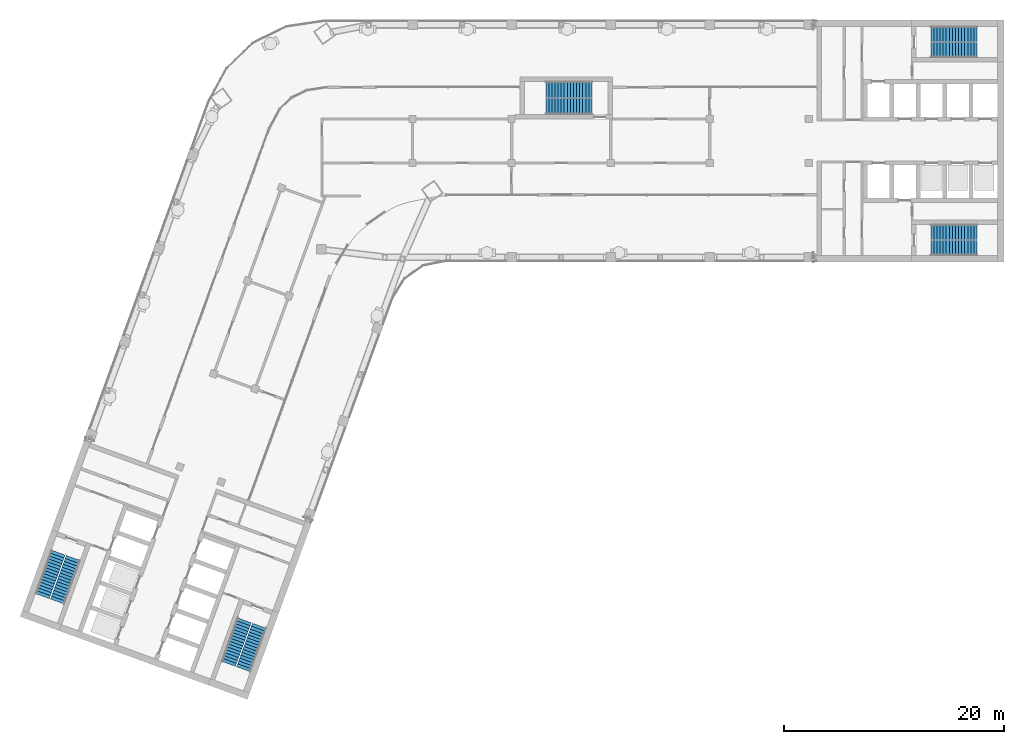
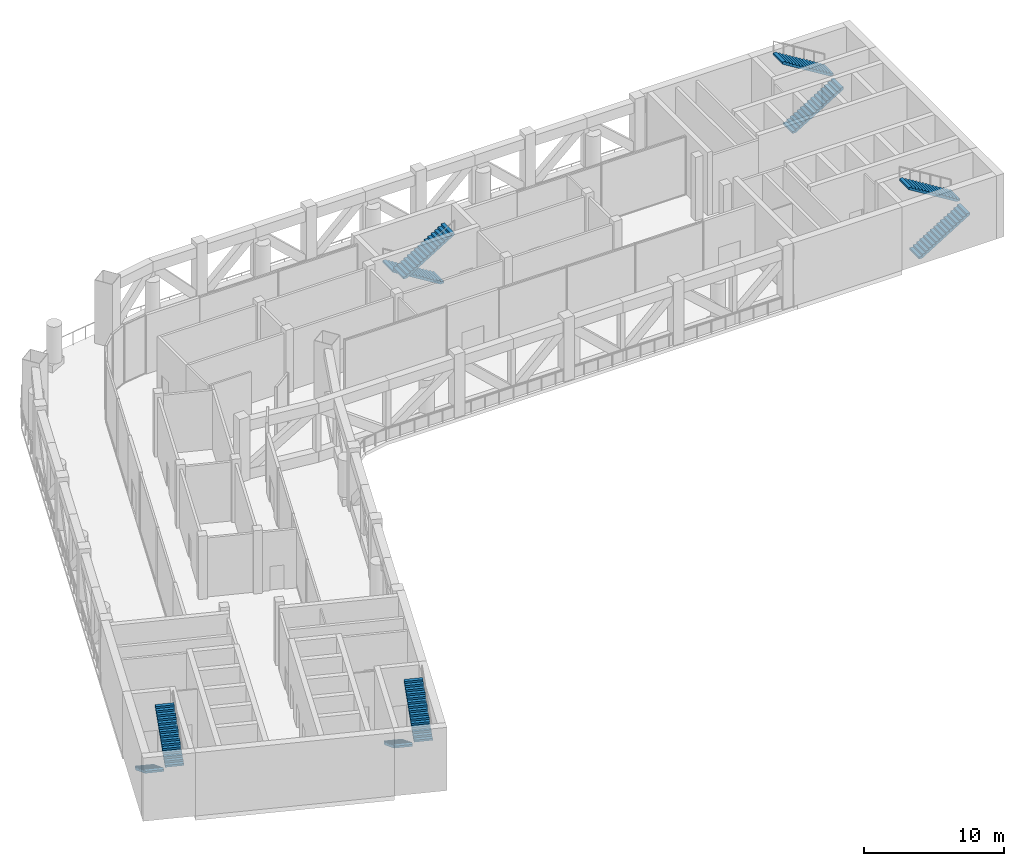
# One storey, part 15 of 19: 10 stair flights, 5 elements without a shape of their own.
"""IFC4 building model written with IfcOpenShell, lengths in metres."""

import ifcopenshell
import ifcopenshell.guid

model = None  # the IFC model being written
_history = None  # IfcOwnerHistory: only IFC2X3 demands one
_inside = {}  # id of a spatial element -> (the spatial element, [elements in it])
_under = {}  # id of a project, library or spatial element -> (it, [spatial elements below it])
_declared = {}  # id of a project -> (the project, [libraries it declares])
_typed = {}  # id of a type object -> (the type object, [elements of that type])
_made_of = {}  # id of a material, layer set ... -> (it, [elements and type objects made of it])


def new_model(schema):
    """Start an empty IFC model of exactly this schema.

    Asked for "IFC4X3", IfcOpenShell would pick the latest addendum, in which some entities
    have other attributes; the version numbers below select the first issue.
    IFC2X3 requires an IfcOwnerHistory on every rooted entity: one is made here for all.
    """
    global model, _history
    if schema == "IFC4X3":
        model = ifcopenshell.file(schema_version=(4, 3, 0, 0))
    else:
        model = ifcopenshell.file(schema=schema)
    _inside.clear()
    _under.clear()
    _declared.clear()
    _typed.clear()
    _made_of.clear()
    _history = None
    if model.schema == "IFC2X3":
        org = make("IfcOrganization", Name="unknown")
        user = make(
            "IfcPersonAndOrganization",
            ThePerson=make("IfcPerson", FamilyName="unknown"),
            TheOrganization=org,
        )
        app = make(
            "IfcApplication",
            ApplicationDeveloper=org,
            Version="unknown",
            ApplicationFullName="unknown",
            ApplicationIdentifier="unknown",
        )
        _history = make(
            "IfcOwnerHistory",
            OwningUser=user,
            OwningApplication=app,
            ChangeAction="ADDED",
            CreationDate=0,
        )
    return model


def make(cls, **values):
    """One entity of the class cls with the attributes given. An attribute that is None is left unset."""
    return model.create_entity(
        cls, **{name: value for name, value in values.items() if value is not None}
    )


def rooted(cls, **values):
    """An entity with a GlobalId (a new one), such as an element, a storey or a relation."""
    return make(cls, GlobalId=ifcopenshell.guid.new(), OwnerHistory=_history, **values)


def si_unit(unit_type, name, prefix=None):
    """IfcSIUnit, for example si_unit("LENGTHUNIT", "METRE", prefix="MILLI")."""
    return make("IfcSIUnit", UnitType=unit_type, Prefix=prefix, Name=name)


def assignment(units):
    """IfcUnitAssignment: the units of a project."""
    return None if units is None else make("IfcUnitAssignment", Units=units)


def point(xyz):
    """IfcCartesianPoint."""
    return None if xyz is None else make("IfcCartesianPoint", Coordinates=xyz)


def direction(xyz):
    """IfcDirection."""
    return None if xyz is None else make("IfcDirection", DirectionRatios=xyz)


def frame(location, z_axis=None, x_axis=None):
    """IfcAxis2Placement3D, a coordinate frame: its origin and axes. An axis left out is left unset."""
    return make(
        "IfcAxis2Placement3D",
        Location=point(location),
        Axis=direction(z_axis),
        RefDirection=direction(x_axis),
    )


def origin():
    """The frame at (0, 0, 0) with its axes left unset."""
    return frame((0.0, 0.0, 0.0))


def place(relative_to, where):
    """IfcLocalPlacement: puts the frame where relative to a parent placement (None: the world)."""
    return make(
        "IfcLocalPlacement", PlacementRelTo=relative_to, RelativePlacement=where
    )


def context(
    kind, dimensions, precision=None, world=None, true_north=None, identifier=None
):
    """IfcGeometricRepresentationContext, for example the 3D "Model" context."""
    return make(
        "IfcGeometricRepresentationContext",
        ContextIdentifier=identifier,
        ContextType=kind,
        CoordinateSpaceDimension=dimensions,
        Precision=precision,
        WorldCoordinateSystem=world,
        TrueNorth=true_north,
    )


def subcontext(parent, identifier, kind, view, scale=None):
    """IfcGeometricRepresentationSubContext, for example "Body" below "Model"."""
    return make(
        "IfcGeometricRepresentationSubContext",
        ContextIdentifier=identifier,
        ContextType=kind,
        ParentContext=parent,
        TargetScale=scale,
        TargetView=view,
    )


def project(units=None, contexts=None):
    """IfcProject with its units and contexts."""
    return rooted(
        "IfcProject",
        Name="project",
        RepresentationContexts=contexts,
        UnitsInContext=assignment(units),
    )


def spatial(cls, under=None, at=None, **own):
    """A site, building, storey or space (cls), placed at a placement, below another one or the project."""
    s = rooted(cls, ObjectPlacement=at, **own)
    if under is not None:
        _under.setdefault(under.id(), (under, []))[1].append(s)
    return s


def polyline(points):
    """IfcPolyline through the points."""
    return make("IfcPolyline", Points=[point(p) for p in points])


def outline(outer, holes=None, kind="AREA"):
    """IfcArbitraryClosedProfileDef: a profile drawn as a closed curve; with holes, ...WithVoids."""
    if holes is None:
        return make("IfcArbitraryClosedProfileDef", ProfileType=kind, OuterCurve=outer)
    return make(
        "IfcArbitraryProfileDefWithVoids",
        ProfileType=kind,
        OuterCurve=outer,
        InnerCurves=holes,
    )


def extrude(swept, where, along, depth):
    """IfcExtrudedAreaSolid: the profile swept, set in the frame where, extruded along a direction by depth."""
    return make(
        "IfcExtrudedAreaSolid",
        SweptArea=swept,
        Position=where,
        ExtrudedDirection=direction(along),
        Depth=depth,
    )


def shape(context_of_items, identifier, shape_type, items):
    """IfcShapeRepresentation: the items that make up one representation, for example the "Body"."""
    return make(
        "IfcShapeRepresentation",
        ContextOfItems=context_of_items,
        RepresentationIdentifier=identifier,
        RepresentationType=shape_type,
        Items=items,
    )


def material(Name=None, Category=None):
    """IfcMaterial."""
    return make("IfcMaterial", Name=Name, Category=Category)


def made_of(thing, what):
    """Note that an element or type object is made of a material, layer set ...; save() writes the relation."""
    if what is not None:
        _made_of.setdefault(what.id(), (what, []))[1].append(thing)
    return thing


def type_object(cls, material=None, **own):
    """A type object (cls), such as IfcWallType, which elements share."""
    return made_of(rooted(cls, **own), material)


def element(
    cls,
    number,
    at=None,
    inside=None,
    cuts=None,
    type_object=None,
    material=None,
    context=None,
    identifier="Body",
    shape_type=None,
    held_by="IfcProductDefinitionShape",
    body=None,
    shapes=None,
    **own,
):
    """One element of the class cls, such as IfcWall. Its Tag is "e" and its number.

    at: its placement. inside: the storey or other place that contains it. cuts: it is an
    opening in that element (IfcRelVoidsElement). A single representation is given by context,
    identifier, shape_type and body (its items); several are given by shapes. held_by: the class
    of the entity that holds the representations. save() writes the other relations.
    """
    e = rooted(cls, Tag="e%d" % number, ObjectPlacement=at, **own)
    if body is not None:
        shapes = [shape(context, identifier, shape_type, body)]
    if shapes is not None:
        e.Representation = make(held_by, Representations=shapes)
    if inside is not None:
        _inside.setdefault(inside.id(), (inside, []))[1].append(e)
    if cuts is not None:
        rooted(
            "IfcRelVoidsElement", RelatingBuildingElement=cuts, RelatedOpeningElement=e
        )
    if type_object is not None:
        _typed.setdefault(type_object.id(), (type_object, []))[1].append(e)
    return made_of(e, material)


def aggregate(whole, parts):
    """IfcRelAggregates: a whole, such as a stair, and the parts it consists of."""
    return rooted("IfcRelAggregates", RelatingObject=whole, RelatedObjects=parts)


def save(model, path):
    """Write the relations noted so far, then the file.

    IfcRelAggregates (storeys below a building ...), IfcRelContainedInSpatialStructure (elements
    in a storey), IfcRelDefinesByType, IfcRelAssociatesMaterial and IfcRelDeclares: one each for
    every whole, place, type object, material and project.
    """
    for whole, parts in _under.values():
        aggregate(whole, parts)
    for where, things in _inside.values():
        rooted(
            "IfcRelContainedInSpatialStructure",
            RelatedElements=things,
            RelatingStructure=where,
        )
    for kind, things in _typed.values():
        rooted("IfcRelDefinesByType", RelatedObjects=things, RelatingType=kind)
    for what, things in _made_of.values():
        rooted("IfcRelAssociatesMaterial", RelatedObjects=things, RelatingMaterial=what)
    for by, libraries in _declared.values():
        rooted("IfcRelDeclares", RelatingContext=by, RelatedDefinitions=libraries)
    model.write(path)


model = new_model("IFC4")

# Units and contexts
model_context = context("Model", 3, precision=1e-05, world=origin(), true_north=direction((0.0, 1.0)))
body_context = subcontext(model_context, "Body", "Model", "MODEL_VIEW")
ifc_project = project(units=[si_unit("LENGTHUNIT", "METRE"), si_unit("AREAUNIT", "SQUARE_METRE"), si_unit("VOLUMEUNIT", "CUBIC_METRE"), si_unit("PLANEANGLEUNIT", "RADIAN"), si_unit("MASSUNIT", "GRAM", prefix="KILO")], contexts=[model_context])

# Site, building, storey
site_placement = place(None, origin())
site = spatial("IfcSite", under=ifc_project, at=site_placement, CompositionType="ELEMENT")
building_placement = place(site_placement, origin())
building = spatial("IfcBuilding", under=site, at=building_placement, Name="Skarvind Civic Tower", CompositionType="ELEMENT")
storey_placement = place(building_placement, frame((0.0, 0.0, 129.0)))
storey = spatial("IfcBuildingStorey", under=building, at=storey_placement, Name="L30", CompositionType="ELEMENT", Elevation=129.0)

# Stair, stair flights
ifc_material = material(Name="Concrete C40/50", Category="concrete")
stair_type_1 = type_object("IfcStairType", Name="Exit stair 1450, half-turn, concrete", PredefinedType="HALF_TURN_STAIR", material=ifc_material)
stair_1_placement = place(storey_placement, origin())
stair_1 = element("IfcStair", 1, at=stair_1_placement, inside=storey, type_object=stair_type_1, Name="Exit stair CM", PredefinedType="HALF_TURN_STAIR")
stair_flight_type_1 = type_object("IfcStairFlightType", Name="Stair flight 1450, concrete", PredefinedType="STRAIGHT", material=ifc_material)
stair_flight_1_placement = place(storey_placement, frame((70.550048828125, 132.675048828125, 0.0), z_axis=(0.0, 0.0, 1.0), x_axis=(-1.0, 0.0, 0.0)))
stair_flight_1 = element("IfcStairFlight", 2, at=stair_flight_1_placement, type_object=stair_flight_type_1, Name="ST-CM flight 1", NumberOfRisers=16, NumberOfTreads=15, PredefinedType="STRAIGHT", RiserHeight=0.171875, TreadLength=0.28, context=body_context, shape_type="SweptSolid", body=[
    extrude(outline(polyline([(0.0, 0.0), (0.0, 0.171875), (0.280029296875, 0.171875), (0.280029296875, 0.34375), (0.56005859375, 0.34375), (0.56005859375, 0.515625), (0.840087890625, 0.515625), (0.840087890625, 0.6875), (1.1201171875, 0.6875), (1.1201171875, 0.859375), (1.39990234375, 0.859375), (1.39990234375, 1.03125), (1.679931640625, 1.03125), (1.679931640625, 1.203125), (1.9599609375, 1.203125), (1.9599609375, 1.375), (2.239990234375, 1.375), (2.239990234375, 1.546875), (2.52001953125, 1.546875), (2.52001953125, 1.71875), (2.800048828125, 1.71875), (2.800048828125, 1.890625), (3.080078125, 1.890625), (3.080078125, 2.0625), (3.360107421875, 2.0625), (3.360107421875, 2.234375), (3.639892578125, 2.234375), (3.639892578125, 2.40625), (3.919921875, 2.40625), (3.919921875, 2.578125), (4.199951171875, 2.578125), (4.199951171875, 2.75), (4.199951171875, 2.40234375), (0.28662109375, 0.0), (0.0, 0.0)])), frame((0.0, 0.72509765625, 0.0), z_axis=(0.0, -1.0, 0.0), x_axis=(1.0, 0.0, 0.0)), (0.0, 0.0, 1.0), 1.449951171875),
])
stair_flight_2_placement = place(storey_placement, frame((66.35009765625, 131.125, 2.75), z_axis=(0.0, 0.0, 1.0), x_axis=(1.0, 0.0, 0.0)))
stair_flight_2 = element("IfcStairFlight", 3, at=stair_flight_2_placement, type_object=stair_flight_type_1, Name="ST-CM flight 2", NumberOfRisers=16, NumberOfTreads=15, PredefinedType="STRAIGHT", RiserHeight=0.171875, TreadLength=0.28, context=body_context, shape_type="SweptSolid", body=[
    extrude(outline(polyline([(0.0, 0.0), (0.0, 0.171875), (0.280029296875, 0.171875), (0.280029296875, 0.34375), (0.56005859375, 0.34375), (0.56005859375, 0.515625), (0.840087890625, 0.515625), (0.840087890625, 0.6875), (1.1201171875, 0.6875), (1.1201171875, 0.859375), (1.39990234375, 0.859375), (1.39990234375, 1.03125), (1.679931640625, 1.03125), (1.679931640625, 1.203125), (1.9599609375, 1.203125), (1.9599609375, 1.375), (2.239990234375, 1.375), (2.239990234375, 1.546875), (2.52001953125, 1.546875), (2.52001953125, 1.71875), (2.800048828125, 1.71875), (2.800048828125, 1.890625), (3.080078125, 1.890625), (3.080078125, 2.0625), (3.360107421875, 2.0625), (3.360107421875, 2.234375), (3.639892578125, 2.234375), (3.639892578125, 2.40625), (3.919921875, 2.40625), (3.919921875, 2.578125), (4.199951171875, 2.578125), (4.199951171875, 2.75), (4.199951171875, 2.40234375), (0.28662109375, 0.0), (0.0, 0.0)])), frame((0.0, 0.72509765625, 0.0), z_axis=(0.0, -1.0, 0.0), x_axis=(1.0, 0.0, 0.0)), (0.0, 0.0, 1.0), 1.449951171875),
])
aggregate(stair_1, [stair_flight_1, stair_flight_2])

stair_type_2 = type_object("IfcStairType", Name="Exit stair, half-turn, concrete", PredefinedType="HALF_TURN_STAIR", material=ifc_material)
stair_2_placement = place(storey_placement, origin())
stair_2 = element("IfcStair", 4, at=stair_2_placement, inside=storey, type_object=stair_type_2, Name="Exit stair C1S", PredefinedType="HALF_TURN_STAIR")
stair_flight_type_2 = type_object("IfcStairFlightType", Name="Stair flight, concrete", PredefinedType="STRAIGHT", material=ifc_material)
stair_flight_3_placement = place(storey_placement, frame((101.35009765625, 136.27490234375, 0.0), z_axis=(0.0, 0.0, 1.0), x_axis=(1.0, 0.0, 0.0)))
stair_flight_3 = element("IfcStairFlight", 5, at=stair_flight_3_placement, type_object=stair_flight_type_2, Name="ST-C1S flight 1", NumberOfRisers=16, NumberOfTreads=15, PredefinedType="STRAIGHT", RiserHeight=0.171875, TreadLength=0.28, context=body_context, shape_type="SweptSolid", body=[
    extrude(outline(polyline([(0.0, 0.0), (0.0, 0.171875), (0.280029296875, 0.171875), (0.280029296875, 0.34375), (0.56005859375, 0.34375), (0.56005859375, 0.515625), (0.840087890625, 0.515625), (0.840087890625, 0.6875), (1.1201171875, 0.6875), (1.1201171875, 0.859375), (1.39990234375, 0.859375), (1.39990234375, 1.03125), (1.679931640625, 1.03125), (1.679931640625, 1.203125), (1.9599609375, 1.203125), (1.9599609375, 1.375), (2.239990234375, 1.375), (2.239990234375, 1.546875), (2.52001953125, 1.546875), (2.52001953125, 1.71875), (2.800048828125, 1.71875), (2.800048828125, 1.890625), (3.080078125, 1.890625), (3.080078125, 2.0625), (3.360107421875, 2.0625), (3.360107421875, 2.234375), (3.639892578125, 2.234375), (3.639892578125, 2.40625), (3.919921875, 2.40625), (3.919921875, 2.578125), (4.199951171875, 2.578125), (4.199951171875, 2.75), (4.199951171875, 2.40234375), (0.28662109375, 0.0), (0.0, 0.0)])), frame((0.0, 0.675048828125, 0.0), z_axis=(0.0, -1.0, 0.0), x_axis=(1.0, 0.0, 0.0)), (0.0, 0.0, 1.0), 1.35009765625),
])
stair_flight_4_placement = place(storey_placement, frame((105.550048828125, 137.72509765625, 2.75), z_axis=(0.0, 0.0, 1.0), x_axis=(-1.0, 0.0, 0.0)))
stair_flight_4 = element("IfcStairFlight", 6, at=stair_flight_4_placement, type_object=stair_flight_type_2, Name="ST-C1S flight 2", NumberOfRisers=16, NumberOfTreads=15, PredefinedType="STRAIGHT", RiserHeight=0.171875, TreadLength=0.28, context=body_context, shape_type="SweptSolid", body=[
    extrude(outline(polyline([(0.0, 0.0), (0.0, 0.171875), (0.280029296875, 0.171875), (0.280029296875, 0.34375), (0.56005859375, 0.34375), (0.56005859375, 0.515625), (0.840087890625, 0.515625), (0.840087890625, 0.6875), (1.1201171875, 0.6875), (1.1201171875, 0.859375), (1.39990234375, 0.859375), (1.39990234375, 1.03125), (1.679931640625, 1.03125), (1.679931640625, 1.203125), (1.9599609375, 1.203125), (1.9599609375, 1.375), (2.239990234375, 1.375), (2.239990234375, 1.546875), (2.52001953125, 1.546875), (2.52001953125, 1.71875), (2.800048828125, 1.71875), (2.800048828125, 1.890625), (3.080078125, 1.890625), (3.080078125, 2.0625), (3.360107421875, 2.0625), (3.360107421875, 2.234375), (3.639892578125, 2.234375), (3.639892578125, 2.40625), (3.919921875, 2.40625), (3.919921875, 2.578125), (4.199951171875, 2.578125), (4.199951171875, 2.75), (4.199951171875, 2.40234375), (0.28662109375, 0.0), (0.0, 0.0)])), frame((0.0, 0.675048828125, 0.0), z_axis=(0.0, -1.0, 0.0), x_axis=(1.0, 0.0, 0.0)), (0.0, 0.0, 1.0), 1.35009765625),
])
aggregate(stair_2, [stair_flight_3, stair_flight_4])

stair_3_placement = place(storey_placement, origin())
stair_3 = element("IfcStair", 7, at=stair_3_placement, inside=storey, type_object=stair_type_2, Name="Exit stair C1N", PredefinedType="HALF_TURN_STAIR")
stair_flight_5_placement = place(storey_placement, frame((101.35009765625, 118.27490234375, 0.0), z_axis=(0.0, 0.0, 1.0), x_axis=(1.0, 0.0, 0.0)))
stair_flight_5 = element("IfcStairFlight", 8, at=stair_flight_5_placement, type_object=stair_flight_type_2, Name="ST-C1N flight 1", NumberOfRisers=16, NumberOfTreads=15, PredefinedType="STRAIGHT", RiserHeight=0.171875, TreadLength=0.28, context=body_context, shape_type="SweptSolid", body=[
    extrude(outline(polyline([(0.0, 0.0), (0.0, 0.171875), (0.280029296875, 0.171875), (0.280029296875, 0.34375), (0.56005859375, 0.34375), (0.56005859375, 0.515625), (0.840087890625, 0.515625), (0.840087890625, 0.6875), (1.1201171875, 0.6875), (1.1201171875, 0.859375), (1.39990234375, 0.859375), (1.39990234375, 1.03125), (1.679931640625, 1.03125), (1.679931640625, 1.203125), (1.9599609375, 1.203125), (1.9599609375, 1.375), (2.239990234375, 1.375), (2.239990234375, 1.546875), (2.52001953125, 1.546875), (2.52001953125, 1.71875), (2.800048828125, 1.71875), (2.800048828125, 1.890625), (3.080078125, 1.890625), (3.080078125, 2.0625), (3.360107421875, 2.0625), (3.360107421875, 2.234375), (3.639892578125, 2.234375), (3.639892578125, 2.40625), (3.919921875, 2.40625), (3.919921875, 2.578125), (4.199951171875, 2.578125), (4.199951171875, 2.75), (4.199951171875, 2.40234375), (0.28662109375, 0.0), (0.0, 0.0)])), frame((0.0, 0.675048828125, 0.0), z_axis=(0.0, -1.0, 0.0), x_axis=(1.0, 0.0, 0.0)), (0.0, 0.0, 1.0), 1.35009765625),
])
stair_flight_6_placement = place(storey_placement, frame((105.550048828125, 119.72509765625, 2.75), z_axis=(0.0, 0.0, 1.0), x_axis=(-1.0, 0.0, 0.0)))
stair_flight_6 = element("IfcStairFlight", 9, at=stair_flight_6_placement, type_object=stair_flight_type_2, Name="ST-C1N flight 2", NumberOfRisers=16, NumberOfTreads=15, PredefinedType="STRAIGHT", RiserHeight=0.171875, TreadLength=0.28, context=body_context, shape_type="SweptSolid", body=[
    extrude(outline(polyline([(0.0, 0.0), (0.0, 0.171875), (0.280029296875, 0.171875), (0.280029296875, 0.34375), (0.56005859375, 0.34375), (0.56005859375, 0.515625), (0.840087890625, 0.515625), (0.840087890625, 0.6875), (1.1201171875, 0.6875), (1.1201171875, 0.859375), (1.39990234375, 0.859375), (1.39990234375, 1.03125), (1.679931640625, 1.03125), (1.679931640625, 1.203125), (1.9599609375, 1.203125), (1.9599609375, 1.375), (2.239990234375, 1.375), (2.239990234375, 1.546875), (2.52001953125, 1.546875), (2.52001953125, 1.71875), (2.800048828125, 1.71875), (2.800048828125, 1.890625), (3.080078125, 1.890625), (3.080078125, 2.0625), (3.360107421875, 2.0625), (3.360107421875, 2.234375), (3.639892578125, 2.234375), (3.639892578125, 2.40625), (3.919921875, 2.40625), (3.919921875, 2.578125), (4.199951171875, 2.578125), (4.199951171875, 2.75), (4.199951171875, 2.40234375), (0.28662109375, 0.0), (0.0, 0.0)])), frame((0.0, 0.675048828125, 0.0), z_axis=(0.0, -1.0, 0.0), x_axis=(1.0, 0.0, 0.0)), (0.0, 0.0, 1.0), 1.35009765625),
])
aggregate(stair_3, [stair_flight_5, stair_flight_6])

stair_4_placement = place(storey_placement, origin())
stair_4 = element("IfcStair", 10, at=stair_4_placement, inside=storey, type_object=stair_type_2, Name="Exit stair C2S", PredefinedType="HALF_TURN_STAIR")
stair_flight_7_placement = place(storey_placement, frame((38.949462890625, 84.43408203125, 0.0), z_axis=(0.0, 0.0, 1.0), x_axis=(-0.342020143326, -0.939692620786, 0.0)))
stair_flight_7 = element("IfcStairFlight", 11, at=stair_flight_7_placement, type_object=stair_flight_type_2, Name="ST-C2S flight 1", NumberOfRisers=16, NumberOfTreads=15, PredefinedType="STRAIGHT", RiserHeight=0.171875, TreadLength=0.28, context=body_context, shape_type="SweptSolid", body=[
    extrude(outline(polyline([(0.0, 0.0), (0.0, 0.171875), (0.280029296875, 0.171875), (0.280029296875, 0.34375), (0.56005859375, 0.34375), (0.56005859375, 0.515625), (0.840087890625, 0.515625), (0.840087890625, 0.6875), (1.1201171875, 0.6875), (1.1201171875, 0.859375), (1.39990234375, 0.859375), (1.39990234375, 1.03125), (1.679931640625, 1.03125), (1.679931640625, 1.203125), (1.9599609375, 1.203125), (1.9599609375, 1.375), (2.239990234375, 1.375), (2.239990234375, 1.546875), (2.52001953125, 1.546875), (2.52001953125, 1.71875), (2.800048828125, 1.71875), (2.800048828125, 1.890625), (3.080078125, 1.890625), (3.080078125, 2.0625), (3.360107421875, 2.0625), (3.360107421875, 2.234375), (3.639892578125, 2.234375), (3.639892578125, 2.40625), (3.919921875, 2.40625), (3.919921875, 2.578125), (4.199951171875, 2.578125), (4.199951171875, 2.75), (4.199951171875, 2.40234375), (0.28662109375, 0.0), (0.0, 0.0)])), frame((0.0, 0.675048828125, 0.0), z_axis=(0.0, -1.0, 0.0), x_axis=(1.0, 0.0, 0.0)), (0.0, 0.0, 1.0), 1.35009765625),
])
stair_flight_8_placement = place(storey_placement, frame((38.87548828125, 79.991455078125, 2.75), z_axis=(0.0, 0.0, 1.0), x_axis=(0.342020143326, 0.939692620786, 0.0)))
stair_flight_8 = element("IfcStairFlight", 12, at=stair_flight_8_placement, type_object=stair_flight_type_2, Name="ST-C2S flight 2", NumberOfRisers=16, NumberOfTreads=15, PredefinedType="STRAIGHT", RiserHeight=0.171875, TreadLength=0.28, context=body_context, shape_type="SweptSolid", body=[
    extrude(outline(polyline([(0.0, 0.0), (0.0, 0.171875), (0.280029296875, 0.171875), (0.280029296875, 0.34375), (0.56005859375, 0.34375), (0.56005859375, 0.515625), (0.840087890625, 0.515625), (0.840087890625, 0.6875), (1.1201171875, 0.6875), (1.1201171875, 0.859375), (1.39990234375, 0.859375), (1.39990234375, 1.03125), (1.679931640625, 1.03125), (1.679931640625, 1.203125), (1.9599609375, 1.203125), (1.9599609375, 1.375), (2.239990234375, 1.375), (2.239990234375, 1.546875), (2.52001953125, 1.546875), (2.52001953125, 1.71875), (2.800048828125, 1.71875), (2.800048828125, 1.890625), (3.080078125, 1.890625), (3.080078125, 2.0625), (3.360107421875, 2.0625), (3.360107421875, 2.234375), (3.639892578125, 2.234375), (3.639892578125, 2.40625), (3.919921875, 2.40625), (3.919921875, 2.578125), (4.199951171875, 2.578125), (4.199951171875, 2.75), (4.199951171875, 2.40234375), (0.28662109375, 0.0), (0.0, 0.0)])), frame((0.0, 0.675048828125, 0.0), z_axis=(0.0, -1.0, 0.0), x_axis=(1.0, 0.0, 0.0)), (0.0, 0.0, 1.0), 1.35009765625),
])
aggregate(stair_4, [stair_flight_7, stair_flight_8])

stair_5_placement = place(storey_placement, origin())
stair_5 = element("IfcStair", 13, at=stair_5_placement, inside=storey, type_object=stair_type_2, Name="Exit stair C2N", PredefinedType="HALF_TURN_STAIR")
stair_flight_9_placement = place(storey_placement, frame((22.034912109375, 90.590576171875, 0.0), z_axis=(0.0, 0.0, 1.0), x_axis=(-0.342020143326, -0.939692620786, 0.0)))
stair_flight_9 = element("IfcStairFlight", 14, at=stair_flight_9_placement, type_object=stair_flight_type_2, Name="ST-C2N flight 1", NumberOfRisers=16, NumberOfTreads=15, PredefinedType="STRAIGHT", RiserHeight=0.171875, TreadLength=0.28, context=body_context, shape_type="SweptSolid", body=[
    extrude(outline(polyline([(0.0, 0.0), (0.0, 0.171875), (0.280029296875, 0.171875), (0.280029296875, 0.34375), (0.56005859375, 0.34375), (0.56005859375, 0.515625), (0.840087890625, 0.515625), (0.840087890625, 0.6875), (1.1201171875, 0.6875), (1.1201171875, 0.859375), (1.39990234375, 0.859375), (1.39990234375, 1.03125), (1.679931640625, 1.03125), (1.679931640625, 1.203125), (1.9599609375, 1.203125), (1.9599609375, 1.375), (2.239990234375, 1.375), (2.239990234375, 1.546875), (2.52001953125, 1.546875), (2.52001953125, 1.71875), (2.800048828125, 1.71875), (2.800048828125, 1.890625), (3.080078125, 1.890625), (3.080078125, 2.0625), (3.360107421875, 2.0625), (3.360107421875, 2.234375), (3.639892578125, 2.234375), (3.639892578125, 2.40625), (3.919921875, 2.40625), (3.919921875, 2.578125), (4.199951171875, 2.578125), (4.199951171875, 2.75), (4.199951171875, 2.40234375), (0.28662109375, 0.0), (0.0, 0.0)])), frame((0.0, 0.675048828125, 0.0), z_axis=(0.0, -1.0, 0.0), x_axis=(1.0, 0.0, 0.0)), (0.0, 0.0, 1.0), 1.35009765625),
])
stair_flight_10_placement = place(storey_placement, frame((21.9609375, 86.14794921875, 2.75), z_axis=(0.0, 0.0, 1.0), x_axis=(0.342020143326, 0.939692620786, 0.0)))
stair_flight_10 = element("IfcStairFlight", 15, at=stair_flight_10_placement, type_object=stair_flight_type_2, Name="ST-C2N flight 2", NumberOfRisers=16, NumberOfTreads=15, PredefinedType="STRAIGHT", RiserHeight=0.171875, TreadLength=0.28, context=body_context, shape_type="SweptSolid", body=[
    extrude(outline(polyline([(0.0, 0.0), (0.0, 0.171875), (0.280029296875, 0.171875), (0.280029296875, 0.34375), (0.56005859375, 0.34375), (0.56005859375, 0.515625), (0.840087890625, 0.515625), (0.840087890625, 0.6875), (1.1201171875, 0.6875), (1.1201171875, 0.859375), (1.39990234375, 0.859375), (1.39990234375, 1.03125), (1.679931640625, 1.03125), (1.679931640625, 1.203125), (1.9599609375, 1.203125), (1.9599609375, 1.375), (2.239990234375, 1.375), (2.239990234375, 1.546875), (2.52001953125, 1.546875), (2.52001953125, 1.71875), (2.800048828125, 1.71875), (2.800048828125, 1.890625), (3.080078125, 1.890625), (3.080078125, 2.0625), (3.360107421875, 2.0625), (3.360107421875, 2.234375), (3.639892578125, 2.234375), (3.639892578125, 2.40625), (3.919921875, 2.40625), (3.919921875, 2.578125), (4.199951171875, 2.578125), (4.199951171875, 2.75), (4.199951171875, 2.40234375), (0.28662109375, 0.0), (0.0, 0.0)])), frame((0.0, 0.675048828125, 0.0), z_axis=(0.0, -1.0, 0.0), x_axis=(1.0, 0.0, 0.0)), (0.0, 0.0, 1.0), 1.35009765625),
])
aggregate(stair_5, [stair_flight_9, stair_flight_10])

save(model, "model.ifc")
